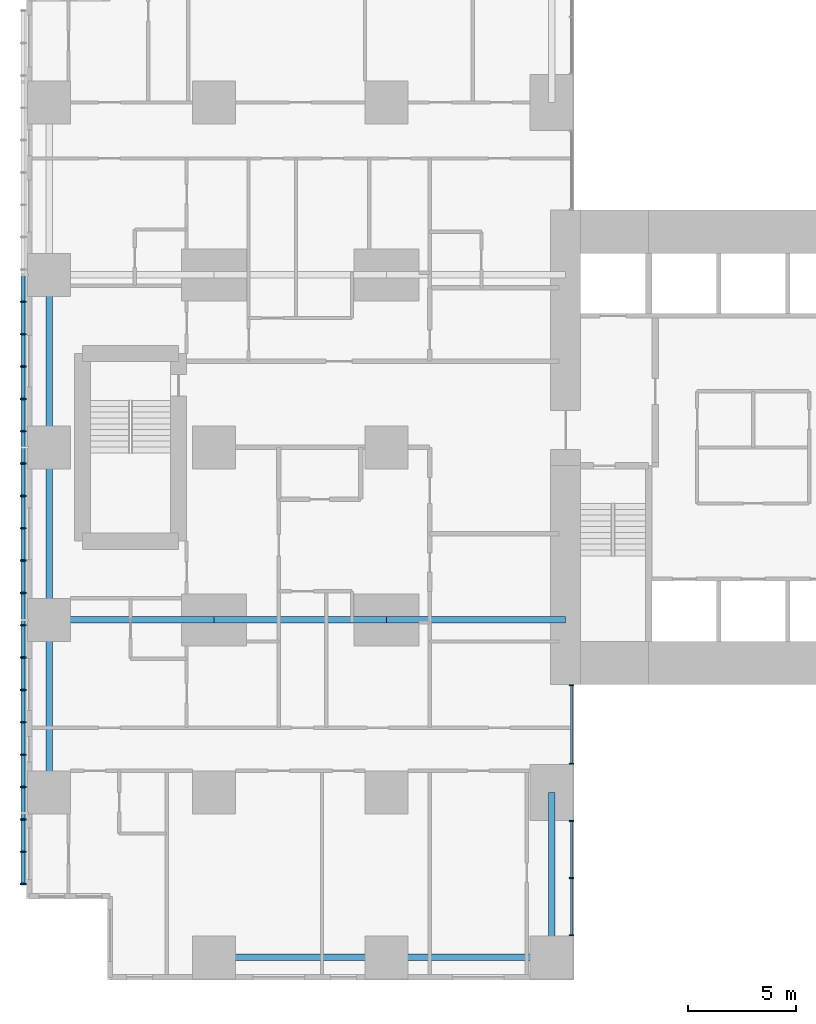
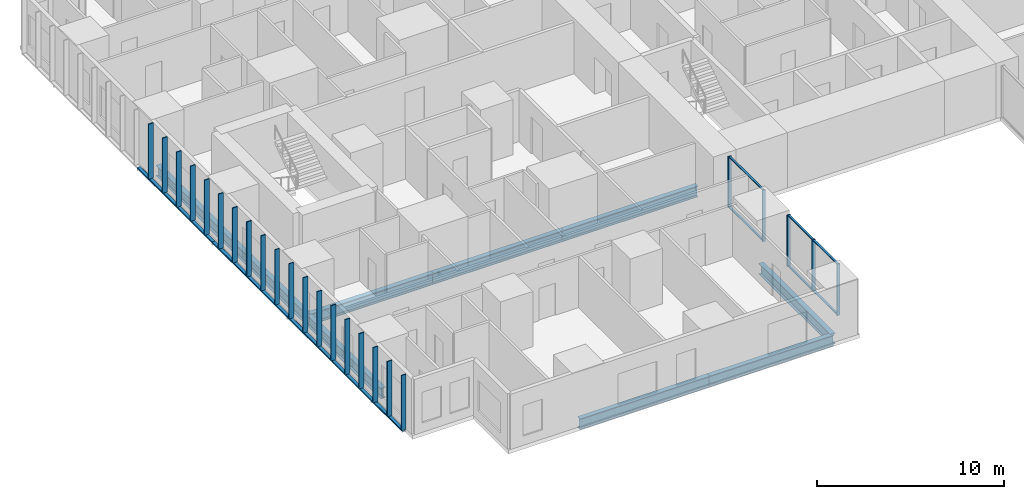
# One storey, part 2 of 20: 33 members, 9 beams, 2 elements without a shape of their own.
"""IFC4 building model written with IfcOpenShell, lengths in metres."""

from ifc_helpers import new_model, si_unit, direction, frame, origin, origin_2d, place, context, subcontext, project, spatial, rectangle, hollow_rectangle, i_section, extrude, material, layer, layer_set, material_profile, profile_set, type_object, element, aggregate, save


model = new_model("IFC4")

# Units and contexts
model_context = context("Model", 3, precision=1e-05, world=origin(), true_north=direction((0.0, 1.0)))
body_context = subcontext(model_context, "Body", "Model", "MODEL_VIEW")
ifc_project = project(units=[si_unit("LENGTHUNIT", "METRE"), si_unit("AREAUNIT", "SQUARE_METRE"), si_unit("VOLUMEUNIT", "CUBIC_METRE"), si_unit("PLANEANGLEUNIT", "RADIAN"), si_unit("MASSUNIT", "GRAM", prefix="KILO")], contexts=[model_context])

# Site, building, storey
site_placement = place(None, origin())
site = spatial("IfcSite", under=ifc_project, at=site_placement, CompositionType="ELEMENT")
building_placement = place(site_placement, origin())
building = spatial("IfcBuilding", under=site, at=building_placement, Name="Cleftline Residences", CompositionType="ELEMENT")
storey_placement = place(building_placement, frame((0.0, 0.0, 76.39990234375)))
storey = spatial("IfcBuildingStorey", under=building, at=storey_placement, Name="L19", CompositionType="ELEMENT", Elevation=76.39990234375)

# Members
ifc_material_1 = material(Name="Steel S355, hot-dip galvanised", Category="steel")
ifc_material_profile_1 = material_profile(ifc_material_1, hollow_rectangle(XDim=0.10009765625, YDim=0.199951171875, WallThickness=0.008056640625, InnerFilletRadius=0.008056640625, OuterFilletRadius=0.011962890625, at=origin_2d()))
ifc_profile_set_1 = profile_set([ifc_material_profile_1], Name="Steel S355, hot-dip galvanised")
member_type_1 = type_object("IfcMemberType", Name="BAGUETTE CARRIER RHS 200X100X8", PredefinedType="USERDEFINED", material=ifc_profile_set_1)
for number, where, z_axis, x_axis, name in (
    (1, (-0.85009765625, 32.0, -0.0498046875), (0.0, -1.0, 0.0), (0.0, 0.0, 1.0), "Baguette carrier"),
    (2, (-0.85009765625, 24.0, -0.0498046875), (0.0, -1.0, 0.0), (0.0, 0.0, 1.0), "Baguette carrier"),
):
    element("IfcMember", number, at=place(storey_placement, frame(where, z_axis=z_axis, x_axis=x_axis)), inside=storey, type_object=member_type_1, Name=name, ObjectType="BAGUETTE CARRIER", PredefinedType="USERDEFINED", context=body_context, shape_type="SweptSolid", body=[
        extrude(hollow_rectangle(XDim=0.10009765625, YDim=0.199951171875, WallThickness=0.008056640625, InnerFilletRadius=0.008056640625, OuterFilletRadius=0.011962890625, at=origin_2d()), origin(), (0.0, 0.0, 1.0), 8.0),
    ])
member_1_placement = place(storey_placement, frame((-0.85009765625, 16.0, -0.0498046875), z_axis=(0.0, -1.0, 0.0), x_axis=(0.0, 0.0, 1.0)))
element("IfcMember", 3, at=member_1_placement, inside=storey, type_object=member_type_1, Name="Baguette carrier", ObjectType="BAGUETTE CARRIER", PredefinedType="USERDEFINED", context=body_context, shape_type="SweptSolid", body=[
    extrude(hollow_rectangle(XDim=0.10009765625, YDim=0.199951171875, WallThickness=0.008056640625, InnerFilletRadius=0.008056640625, OuterFilletRadius=0.011962890625, at=origin_2d()), origin(), (0.0, 0.0, 1.0), 12.300048828125),
])

# Beams
ifc_material_2 = material(Name="Steel S355", Category="steel")
ifc_material_profile_2 = material_profile(ifc_material_2, i_section(OverallWidth=0.300048828125, OverallDepth=0.699951171875, WebThickness=0.01708984375, FlangeThickness=0.031982421875, FilletRadius=0.027099609375, at=origin_2d()))
ifc_profile_set_2 = profile_set([ifc_material_profile_2], Name="Steel S355")
beam_type_1 = type_object("IfcBeamType", Name="BEAM HEB 700", PredefinedType="BEAM", material=ifc_profile_set_2)
for number, where, z_axis, x_axis, name in (
    (4, (0.35009765625, 8.0, -0.599853515625), (0.0, 1.0, 0.0), (-1.0, 0.0, 0.0), "Edge beam"),
    (5, (0.35009765625, 16.0, -0.599853515625), (0.0, 1.0, 0.0), (-1.0, 0.0, 0.0), "Edge beam"),
    (6, (0.35009765625, 24.0, -0.599853515625), (0.0, 1.0, 0.0), (-1.0, 0.0, 0.0), "Edge beam"),
    (7, (8.0, 0.35009765625, -0.599853515625), (1.0, 0.0, 0.0), (0.0, 1.0, 0.0), "Edge beam"),
):
    element("IfcBeam", number, at=place(storey_placement, frame(where, z_axis=z_axis, x_axis=x_axis)), inside=storey, type_object=beam_type_1, Name=name, PredefinedType="BEAM", context=body_context, shape_type="SweptSolid", body=[
        extrude(i_section(OverallWidth=0.300048828125, OverallDepth=0.699951171875, WebThickness=0.01708984375, FlangeThickness=0.031982421875, FilletRadius=0.027099609375, at=origin_2d()), origin(), (0.0, 0.0, 1.0), 8.0),
    ])
for number, where, z_axis, x_axis, name in (
    (8, (16.0, 0.35009765625, -0.599853515625), (1.0, 0.0, 0.0), (0.0, 1.0, 0.0), "Edge beam"),
    (9, (23.64990234375, 0.35009765625, -0.599853515625), (0.0, 1.0, 0.0), (-1.0, 0.0, 0.0), "Edge beam"),
):
    element("IfcBeam", number, at=place(storey_placement, frame(where, z_axis=z_axis, x_axis=x_axis)), inside=storey, type_object=beam_type_1, Name=name, PredefinedType="BEAM", context=body_context, shape_type="SweptSolid", body=[
        extrude(i_section(OverallWidth=0.300048828125, OverallDepth=0.699951171875, WebThickness=0.01708984375, FlangeThickness=0.031982421875, FilletRadius=0.027099609375, at=origin_2d()), origin(), (0.0, 0.0, 1.0), 7.64990234375),
    ])
ifc_material_3 = material(Name="Steel S355", Category="steel")
ifc_material_profile_3 = material_profile(ifc_material_3, i_section(OverallWidth=0.303955078125, OverallDepth=0.716064453125, WebThickness=0.02099609375, FlangeThickness=0.0400390625, FilletRadius=0.027099609375, at=origin_2d()))
ifc_profile_set_3 = profile_set([ifc_material_profile_3], Name="Steel S355")
beam_type_2 = type_object("IfcBeamType", Name="BEAM HEM 700", PredefinedType="BEAM", material=ifc_profile_set_3)
beam_1_placement = place(storey_placement, frame((0.35009765625, 16.0, -0.60791015625), z_axis=(1.0, 0.0, 0.0), x_axis=(0.0, 1.0, 0.0)))
element("IfcBeam", 10, at=beam_1_placement, inside=storey, type_object=beam_type_2, Name="Band beam", PredefinedType="BEAM", context=body_context, shape_type="SweptSolid", body=[
    extrude(i_section(OverallWidth=0.303955078125, OverallDepth=0.716064453125, WebThickness=0.02099609375, FlangeThickness=0.0400390625, FilletRadius=0.027099609375, at=origin_2d()), origin(), (0.0, 0.0, 1.0), 7.64990234375),
])
beam_2_placement = place(storey_placement, frame((8.0, 16.0, -0.60791015625), z_axis=(1.0, 0.0, 0.0), x_axis=(0.0, 1.0, 0.0)))
element("IfcBeam", 11, at=beam_2_placement, inside=storey, type_object=beam_type_2, Name="Band beam", PredefinedType="BEAM", context=body_context, shape_type="SweptSolid", body=[
    extrude(i_section(OverallWidth=0.303955078125, OverallDepth=0.716064453125, WebThickness=0.02099609375, FlangeThickness=0.0400390625, FilletRadius=0.027099609375, at=origin_2d()), origin(), (0.0, 0.0, 1.0), 8.0),
])
beam_3_placement = place(storey_placement, frame((16.0, 16.0, -0.60791015625), z_axis=(1.0, 0.0, 0.0), x_axis=(0.0, 1.0, 0.0)))
element("IfcBeam", 12, at=beam_3_placement, inside=storey, type_object=beam_type_2, Name="Band beam", PredefinedType="BEAM", context=body_context, shape_type="SweptSolid", body=[
    extrude(i_section(OverallWidth=0.303955078125, OverallDepth=0.716064453125, WebThickness=0.02099609375, FlangeThickness=0.0400390625, FilletRadius=0.027099609375, at=origin_2d()), origin(), (0.0, 0.0, 1.0), 8.300048828125),
])

# Curtain wall, members
ifc_material_4 = material(Name="Aluminium framed curtain wall", Category="aluminium")
ifc_layer = layer(ifc_material_4, 0.199951171875)
ifc_layer_set = layer_set([ifc_layer], Name="CW1 CLEFT GLAZING")
curtain_wall_type = type_object("IfcCurtainWallType", Name="CW1 CLEFT GLAZING", PredefinedType="NOTDEFINED", material=ifc_layer_set)
curtain_wall_1_placement = place(storey_placement, origin())
curtain_wall_1 = element("IfcCurtainWall", 13, at=curtain_wall_1_placement, inside=storey, type_object=curtain_wall_type, Name="Curtain wall CW1", PredefinedType="NOTDEFINED")
ifc_material_5 = material(Name="Aluminium mullion", Category="aluminium")
ifc_material_profile_4 = material_profile(ifc_material_5, rectangle(XDim=0.199951171875, YDim=0.06005859375, at=origin_2d()))
ifc_profile_set_4 = profile_set([ifc_material_profile_4], Name="Aluminium mullion")
member_type_2 = type_object("IfcMemberType", Name="CW1 MULLION", PredefinedType="MULLION", material=ifc_profile_set_4)
member_2_placement = place(storey_placement, frame((24.574951171875, 1.3798828125, 0.0), z_axis=(0.0, 0.0, 1.0), x_axis=(-1.0, 0.0, 0.0)))
member_2 = element("IfcMember", 14, at=member_2_placement, type_object=member_type_2, Name="CW1 mullion 1", PredefinedType="MULLION", context=body_context, shape_type="SweptSolid", body=[
    extrude(rectangle(XDim=0.199951171875, YDim=0.06005859375, at=origin_2d()), origin(), (0.0, 0.0, 1.0), 3.35009765625),
])
member_3_placement = place(storey_placement, frame((24.574951171875, 4.02490234375, 0.0), z_axis=(0.0, 0.0, 1.0), x_axis=(-1.0, 0.0, 0.0)))
member_3 = element("IfcMember", 15, at=member_3_placement, type_object=member_type_2, Name="CW1 mullion 2", PredefinedType="MULLION", context=body_context, shape_type="SweptSolid", body=[
    extrude(rectangle(XDim=0.199951171875, YDim=0.06005859375, at=origin_2d()), origin(), (0.0, 0.0, 1.0), 3.35009765625),
])
member_4_placement = place(storey_placement, frame((24.574951171875, 6.669921875, 0.0), z_axis=(0.0, 0.0, 1.0), x_axis=(-1.0, 0.0, 0.0)))
member_4 = element("IfcMember", 16, at=member_4_placement, type_object=member_type_2, Name="CW1 mullion 3", PredefinedType="MULLION", context=body_context, shape_type="SweptSolid", body=[
    extrude(rectangle(XDim=0.199951171875, YDim=0.06005859375, at=origin_2d()), origin(), (0.0, 0.0, 1.0), 3.35009765625),
])

curtain_wall_2_placement = place(storey_placement, origin())
curtain_wall_2 = element("IfcCurtainWall", 17, at=curtain_wall_2_placement, inside=storey, type_object=curtain_wall_type, Name="Curtain wall CW1", PredefinedType="NOTDEFINED")
member_5_placement = place(storey_placement, frame((24.574951171875, 9.330078125, 0.0), z_axis=(0.0, 0.0, 1.0), x_axis=(-1.0, 0.0, 0.0)))
member_5 = element("IfcMember", 18, at=member_5_placement, type_object=member_type_2, Name="CW1 mullion 1", PredefinedType="MULLION", context=body_context, shape_type="SweptSolid", body=[
    extrude(rectangle(XDim=0.199951171875, YDim=0.06005859375, at=origin_2d()), origin(), (0.0, 0.0, 1.0), 3.35009765625),
])
member_6_placement = place(storey_placement, frame((24.574951171875, 12.969970703125, 0.0), z_axis=(0.0, 0.0, 1.0), x_axis=(-1.0, 0.0, 0.0)))
member_6 = element("IfcMember", 19, at=member_6_placement, type_object=member_type_2, Name="CW1 mullion 2", PredefinedType="MULLION", context=body_context, shape_type="SweptSolid", body=[
    extrude(rectangle(XDim=0.199951171875, YDim=0.06005859375, at=origin_2d()), origin(), (0.0, 0.0, 1.0), 3.35009765625),
])

# Member
ifc_material_6 = material(Name="Aluminium transom", Category="aluminium")
ifc_material_profile_5 = material_profile(ifc_material_6, rectangle(XDim=0.1201171875, YDim=0.06005859375, at=origin_2d()))
ifc_profile_set_5 = profile_set([ifc_material_profile_5], Name="Aluminium transom")
member_type_3 = type_object("IfcMemberType", Name="CW1 TRANSOM", PredefinedType="USERDEFINED", material=ifc_profile_set_5)
member_7_placement = place(storey_placement, frame((24.574951171875, 1.409912109375, 0.030029296875), z_axis=(0.0, 1.0, 0.0), x_axis=(-1.0, 0.0, 0.0)))
member_7 = element("IfcMember", 20, at=member_7_placement, type_object=member_type_3, Name="CW1 transom 1.1", ObjectType="TRANSOM", PredefinedType="USERDEFINED", context=body_context, shape_type="SweptSolid", body=[
    extrude(rectangle(XDim=0.1201171875, YDim=0.06005859375, at=origin_2d()), origin(), (0.0, 0.0, 1.0), 2.585205078125),
])

member_8_placement = place(storey_placement, frame((24.574951171875, 1.409912109375, 3.320068359375), z_axis=(0.0, 1.0, 0.0), x_axis=(-1.0, 0.0, 0.0)))
member_8 = element("IfcMember", 21, at=member_8_placement, type_object=member_type_3, Name="CW1 transom 1.2", ObjectType="TRANSOM", PredefinedType="USERDEFINED", context=body_context, shape_type="SweptSolid", body=[
    extrude(rectangle(XDim=0.1201171875, YDim=0.06005859375, at=origin_2d()), origin(), (0.0, 0.0, 1.0), 2.585205078125),
])

member_9_placement = place(storey_placement, frame((24.574951171875, 4.054931640625, 0.030029296875), z_axis=(0.0, 1.0, 0.0), x_axis=(-1.0, 0.0, 0.0)))
member_9 = element("IfcMember", 22, at=member_9_placement, type_object=member_type_3, Name="CW1 transom 2.1", ObjectType="TRANSOM", PredefinedType="USERDEFINED", context=body_context, shape_type="SweptSolid", body=[
    extrude(rectangle(XDim=0.1201171875, YDim=0.06005859375, at=origin_2d()), origin(), (0.0, 0.0, 1.0), 2.5849609375),
])

member_10_placement = place(storey_placement, frame((24.574951171875, 4.054931640625, 3.320068359375), z_axis=(0.0, 1.0, 0.0), x_axis=(-1.0, 0.0, 0.0)))
member_10 = element("IfcMember", 23, at=member_10_placement, type_object=member_type_3, Name="CW1 transom 2.2", ObjectType="TRANSOM", PredefinedType="USERDEFINED", context=body_context, shape_type="SweptSolid", body=[
    extrude(rectangle(XDim=0.1201171875, YDim=0.06005859375, at=origin_2d()), origin(), (0.0, 0.0, 1.0), 2.5849609375),
])

aggregate(curtain_wall_1, [member_2, member_3, member_4, member_7, member_8, member_9, member_10])

member_11_placement = place(storey_placement, frame((24.574951171875, 9.360107421875, 0.030029296875), z_axis=(0.0, 1.0, 0.0), x_axis=(-1.0, 0.0, 0.0)))
member_11 = element("IfcMember", 24, at=member_11_placement, type_object=member_type_3, Name="CW1 transom 1.1", ObjectType="TRANSOM", PredefinedType="USERDEFINED", context=body_context, shape_type="SweptSolid", body=[
    extrude(rectangle(XDim=0.1201171875, YDim=0.06005859375, at=origin_2d()), origin(), (0.0, 0.0, 1.0), 3.579833984375),
])

member_12_placement = place(storey_placement, frame((24.574951171875, 9.360107421875, 3.320068359375), z_axis=(0.0, 1.0, 0.0), x_axis=(-1.0, 0.0, 0.0)))
member_12 = element("IfcMember", 25, at=member_12_placement, type_object=member_type_3, Name="CW1 transom 1.2", ObjectType="TRANSOM", PredefinedType="USERDEFINED", context=body_context, shape_type="SweptSolid", body=[
    extrude(rectangle(XDim=0.1201171875, YDim=0.06005859375, at=origin_2d()), origin(), (0.0, 0.0, 1.0), 3.579833984375),
])

aggregate(curtain_wall_2, [member_5, member_6, member_11, member_12])

# Members
ifc_material_7 = material(Name="Extruded terracotta", Category="masonry")
ifc_material_profile_6 = material_profile(ifc_material_7, rectangle(XDim=0.06005859375, YDim=0.300048828125, at=origin_2d()))
ifc_profile_set_6 = profile_set([ifc_material_profile_6], Name="Extruded terracotta")
member_type_4 = type_object("IfcMemberType", Name="TERRACOTTA BAGUETTE 60X300", PredefinedType="USERDEFINED", material=ifc_profile_set_6)
for number, where, z_axis, x_axis, name in (
    (26, (-0.85009765625, 30.75, 0.0), (0.0, 0.0, 1.0), (0.0, 1.0, 0.0), "Terracotta baguette"),
    (27, (-0.85009765625, 29.25, 0.0), (0.0, 0.0, 1.0), (0.0, 1.0, 0.0), "Terracotta baguette"),
    (28, (-0.85009765625, 27.75, 0.0), (0.0, 0.0, 1.0), (0.0, 1.0, 0.0), "Terracotta baguette"),
    (29, (-0.85009765625, 26.25, 0.0), (0.0, 0.0, 1.0), (0.0, 1.0, 0.0), "Terracotta baguette"),
    (30, (-0.85009765625, 24.75, 0.0), (0.0, 0.0, 1.0), (0.0, 1.0, 0.0), "Terracotta baguette"),
    (31, (-0.85009765625, 23.25, 0.0), (0.0, 0.0, 1.0), (0.0, 1.0, 0.0), "Terracotta baguette"),
    (32, (-0.85009765625, 21.75, 0.0), (0.0, 0.0, 1.0), (0.0, 1.0, 0.0), "Terracotta baguette"),
    (33, (-0.85009765625, 20.25, 0.0), (0.0, 0.0, 1.0), (0.0, 1.0, 0.0), "Terracotta baguette"),
    (34, (-0.85009765625, 18.75, 0.0), (0.0, 0.0, 1.0), (0.0, 1.0, 0.0), "Terracotta baguette"),
    (35, (-0.85009765625, 17.25, 0.0), (0.0, 0.0, 1.0), (0.0, 1.0, 0.0), "Terracotta baguette"),
    (36, (-0.85009765625, 15.75, 0.0), (0.0, 0.0, 1.0), (0.0, 1.0, 0.0), "Terracotta baguette"),
    (37, (-0.85009765625, 14.25, 0.0), (0.0, 0.0, 1.0), (0.0, 1.0, 0.0), "Terracotta baguette"),
    (38, (-0.85009765625, 12.75, 0.0), (0.0, 0.0, 1.0), (0.0, 1.0, 0.0), "Terracotta baguette"),
    (39, (-0.85009765625, 11.25, 0.0), (0.0, 0.0, 1.0), (0.0, 1.0, 0.0), "Terracotta baguette"),
    (40, (-0.85009765625, 9.75, 0.0), (0.0, 0.0, 1.0), (0.0, 1.0, 0.0), "Terracotta baguette"),
    (41, (-0.85009765625, 8.25, 0.0), (0.0, 0.0, 1.0), (0.0, 1.0, 0.0), "Terracotta baguette"),
    (42, (-0.85009765625, 6.75, 0.0), (0.0, 0.0, 1.0), (0.0, 1.0, 0.0), "Terracotta baguette"),
    (43, (-0.85009765625, 5.25, 0.0), (0.0, 0.0, 1.0), (0.0, 1.0, 0.0), "Terracotta baguette"),
    (44, (-0.85009765625, 3.75, 0.0), (0.0, 0.0, 1.0), (0.0, 1.0, 0.0), "Terracotta baguette"),
):
    element("IfcMember", number, at=place(storey_placement, frame(where, z_axis=z_axis, x_axis=x_axis)), inside=storey, type_object=member_type_4, Name=name, ObjectType="BAGUETTE", PredefinedType="USERDEFINED", context=body_context, shape_type="SweptSolid", body=[
        extrude(rectangle(XDim=0.06005859375, YDim=0.300048828125, at=origin_2d()), origin(), (0.0, 0.0, 1.0), 3.60009765625),
    ])

save(model, "model.ifc")
